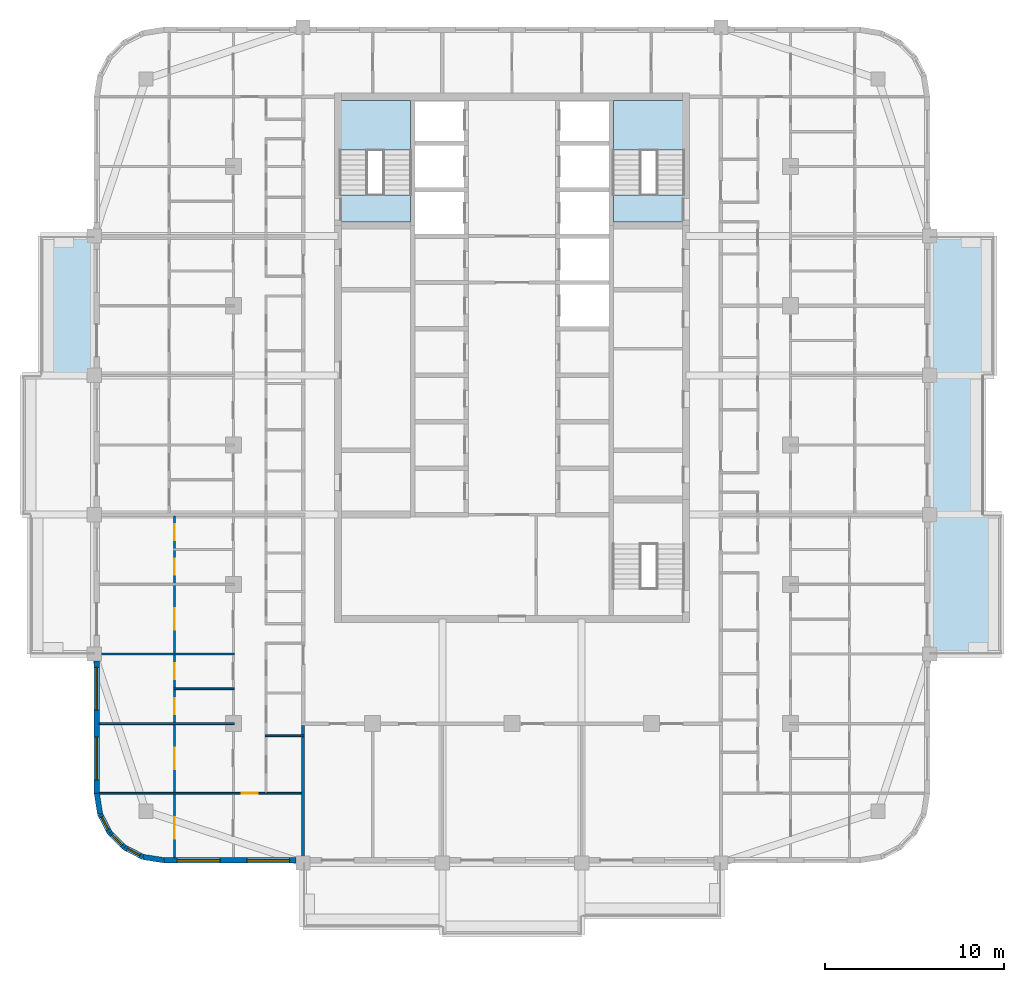
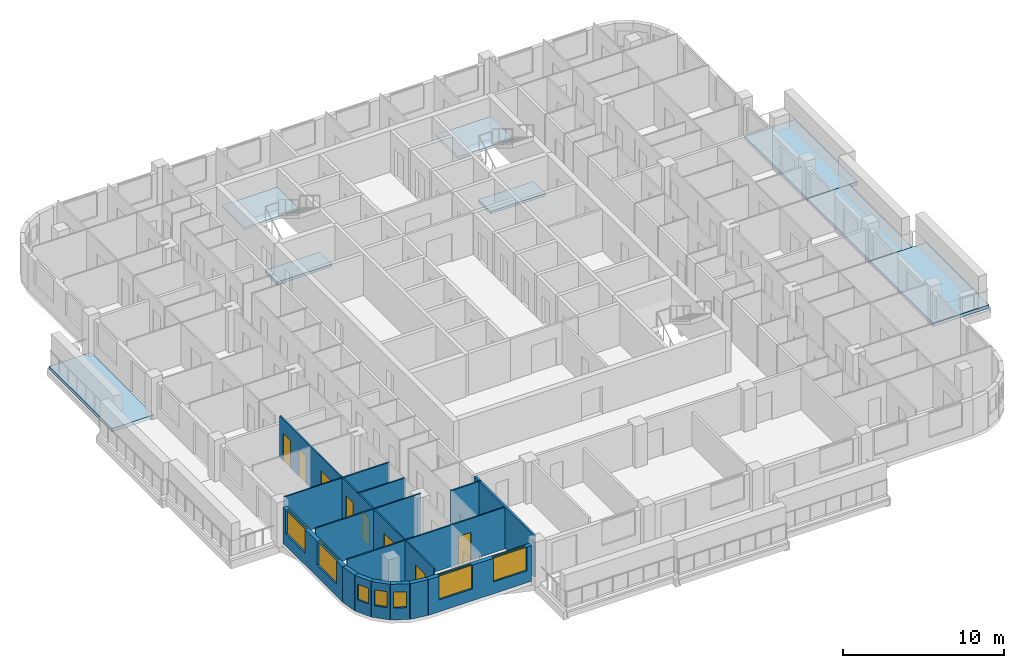
# One storey, part 2 of 16: 14 walls, 8 doors, 8 slabs, 7 windows, 15 openings, 2 elements without a shape of their own.
"""IFC4 building model written with IfcOpenShell, lengths in metres."""

from ifc_helpers import new_model, si_unit, direction, frame, frame_2d, origin, place, context, subcontext, project, spatial, polyline, rectangle, outline, extrude, material, layer, layer_set, type_object, element, fill, aggregate, save


model = new_model("IFC4")

# Units and contexts
model_context = context("Model", 3, precision=1e-05, world=origin(), true_north=direction((0.0, 1.0)))
body_context = subcontext(model_context, "Body", "Model", "MODEL_VIEW")
ifc_project = project(units=[si_unit("LENGTHUNIT", "METRE"), si_unit("AREAUNIT", "SQUARE_METRE"), si_unit("VOLUMEUNIT", "CUBIC_METRE"), si_unit("PLANEANGLEUNIT", "RADIAN"), si_unit("MASSUNIT", "GRAM", prefix="KILO")], contexts=[model_context])

# Site, building, storey
site_placement = place(None, origin())
site = spatial("IfcSite", under=ifc_project, at=site_placement, CompositionType="ELEMENT")
building_placement = place(site_placement, origin())
building = spatial("IfcBuilding", under=site, at=building_placement, Name="Ludao Terraces", CompositionType="ELEMENT")
storey_placement = place(building_placement, frame((0.0, 0.0, 204.10009765625)))
storey = spatial("IfcBuildingStorey", under=building, at=storey_placement, Name="L55", CompositionType="ELEMENT", Elevation=204.10009765625)

# Slabs
ifc_material_1 = material(Name="Concrete C40", Category="concrete")
ifc_layer_1 = layer(ifc_material_1, 0.25)
ifc_layer_set_1 = layer_set([ifc_layer_1], Name="Balcony slab 250 C40")
slab_type_1 = type_object("IfcSlabType", Name="Balcony slab 250 C40", PredefinedType="USERDEFINED", material=ifc_layer_set_1)
slab_1_placement = place(storey_placement, frame((0.0, 0.0, -0.25)))
element("IfcSlab", 1, at=slab_1_placement, inside=storey, type_object=slab_type_1, Name="Balcony L55 E1", ObjectType="BALCONY", PredefinedType="USERDEFINED", context=body_context, shape_type="SweptSolid", body=[
    extrude(outline(polyline([(108.39990234375, 53.300048828125), (112.39990234375, 53.300048828125), (112.39990234375, 61.10009765625), (108.39990234375, 61.10009765625), (108.39990234375, 53.300048828125)])), origin(), (0.0, 0.0, 1.0), 0.25),
])
slab_2_placement = place(storey_placement, frame((0.0, 0.0, -0.25)))
element("IfcSlab", 2, at=slab_2_placement, inside=storey, type_object=slab_type_1, Name="Balcony L55 E2", ObjectType="BALCONY", PredefinedType="USERDEFINED", context=body_context, shape_type="SweptSolid", body=[
    extrude(outline(polyline([(108.39990234375, 61.10009765625), (111.39990234375, 61.10009765625), (111.39990234375, 68.89990234375), (108.39990234375, 68.89990234375), (108.39990234375, 61.10009765625)])), origin(), (0.0, 0.0, 1.0), 0.25),
])
slab_3_placement = place(storey_placement, frame((0.0, 0.0, -0.25)))
element("IfcSlab", 3, at=slab_3_placement, inside=storey, type_object=slab_type_1, Name="Balcony L55 E3", ObjectType="BALCONY", PredefinedType="USERDEFINED", context=body_context, shape_type="SweptSolid", body=[
    extrude(outline(polyline([(108.39990234375, 68.89990234375), (112.0, 68.89990234375), (112.0, 76.699951171875), (108.39990234375, 76.699951171875), (108.39990234375, 68.89990234375)])), origin(), (0.0, 0.0, 1.0), 0.25),
])
slab_4_placement = place(storey_placement, frame((0.0, 0.0, -0.25)))
element("IfcSlab", 4, at=slab_4_placement, inside=storey, type_object=slab_type_1, Name="Balcony L55 W3", ObjectType="BALCONY", PredefinedType="USERDEFINED", context=body_context, shape_type="SweptSolid", body=[
    extrude(outline(polyline([(58.60009765625, 68.89990234375), (61.60009765625, 68.89990234375), (61.60009765625, 76.699951171875), (58.60009765625, 76.699951171875), (58.60009765625, 68.89990234375)])), origin(), (0.0, 0.0, 1.0), 0.25),
])

# Stair, slabs
stair_type = type_object("IfcStairType", Name="INT Stair", PredefinedType="HALF_TURN_STAIR", material=ifc_material_1)
stair_1_placement = place(storey_placement, origin())
stair_1 = element("IfcStair", 5, at=stair_1_placement, inside=storey, type_object=stair_type, Name="EXIT STAIR 1", PredefinedType="HALF_TURN_STAIR")
ifc_layer_2 = layer(ifc_material_1, 0.199951171875)
ifc_layer_set_2 = layer_set([ifc_layer_2], Name="INT Stair landing 200")
slab_type_2 = type_object("IfcSlabType", Name="INT Stair landing 200", PredefinedType="LANDING", material=ifc_layer_set_2)
slab_5_placement = place(storey_placement, frame((0.0, 0.0, 1.5)))
slab_5 = element("IfcSlab", 6, at=slab_5_placement, type_object=slab_type_2, Name="ST1 landing 1", PredefinedType="LANDING", context=body_context, shape_type="SweptSolid", body=[
    extrude(outline(polyline([(75.375, 81.52001953125), (79.324951171875, 81.52001953125), (79.324951171875, 84.300048828125), (75.375, 84.300048828125), (75.375, 81.52001953125)])), origin(), (0.0, 0.0, 1.0), 0.199951171875),
])
slab_6_placement = place(storey_placement, frame((0.0, 0.0, -0.2001953125)))
slab_6 = element("IfcSlab", 7, at=slab_6_placement, type_object=slab_type_2, Name="ST1 landing 2", PredefinedType="LANDING", context=body_context, shape_type="SweptSolid", body=[
    extrude(outline(polyline([(75.375, 77.5), (79.324951171875, 77.5), (79.324951171875, 79.0), (75.375, 79.0), (75.375, 77.5)])), origin(), (0.0, 0.0, 1.0), 0.2001953125),
])
aggregate(stair_1, [slab_5, slab_6])

stair_2_placement = place(storey_placement, origin())
stair_2 = element("IfcStair", 8, at=stair_2_placement, inside=storey, type_object=stair_type, Name="EXIT STAIR 2", PredefinedType="HALF_TURN_STAIR")
slab_7_placement = place(storey_placement, frame((0.0, 0.0, 1.5)))
slab_7 = element("IfcSlab", 9, at=slab_7_placement, type_object=slab_type_2, Name="ST2 landing 1", PredefinedType="LANDING", context=body_context, shape_type="SweptSolid", body=[
    extrude(outline(polyline([(90.675048828125, 81.52001953125), (94.625, 81.52001953125), (94.625, 84.300048828125), (90.675048828125, 84.300048828125), (90.675048828125, 81.52001953125)])), origin(), (0.0, 0.0, 1.0), 0.199951171875),
])
slab_8_placement = place(storey_placement, frame((0.0, 0.0, -0.2001953125)))
slab_8 = element("IfcSlab", 10, at=slab_8_placement, type_object=slab_type_2, Name="ST2 landing 2", PredefinedType="LANDING", context=body_context, shape_type="SweptSolid", body=[
    extrude(outline(polyline([(90.675048828125, 77.5), (94.625, 77.5), (94.625, 79.0), (90.675048828125, 79.0), (90.675048828125, 77.5)])), origin(), (0.0, 0.0, 1.0), 0.2001953125),
])
aggregate(stair_2, [slab_7, slab_8])

# Wall, openings, windows
ifc_material_2 = material(Name="Granite cladding", Category="masonry")
ifc_layer_3 = layer(ifc_material_2, 0.0400390625, Category="stone")
ifc_material_3 = material(Name="Mineral wool")
ifc_layer_4 = layer(ifc_material_3, 0.06005859375)
ifc_layer_5 = layer(ifc_material_1, 0.199951171875, Category="concrete")
ifc_layer_set_3 = layer_set([ifc_layer_3, ifc_layer_4, ifc_layer_5], Name="ENV Stone-clad wall 300")
wall_type_1 = type_object("IfcWallType", Name="ENV Stone-clad wall 300", PredefinedType="SOLIDWALL", material=ifc_layer_set_3)
wall_1_placement = place(storey_placement, frame((65.5, 41.75, 0.0), z_axis=(0.0, 0.0, 1.0), x_axis=(1.0, 0.0, 0.0)))
wall_1 = element("IfcWall", 11, at=wall_1_placement, inside=storey, type_object=wall_type_1, Name="EW-L55-S1", PredefinedType="SOLIDWALL", context=body_context, shape_type="SweptSolid", body=[
    extrude(rectangle(XDim=7.39990234375, YDim=0.300048828125, at=frame_2d((3.699951171875, 0.0))), origin(), (0.0, 0.0, 1.0), 2.699951171875),
])
opening_1_placement = place(wall_1_placement, frame((0.75, 0.0, 0.89990234375)))
opening_1 = element("IfcOpeningElement", 12, at=opening_1_placement, cuts=wall_1, Name="Opening W1", PredefinedType="OPENING", context=body_context, shape_type="SweptSolid", body=[
    extrude(rectangle(XDim=2.39990234375, YDim=1.800048828125, at=frame_2d((1.199951171875, 0.89990234375))), frame((0.0, 0.16015625, 0.0), z_axis=(0.0, -1.0, 0.0), x_axis=(1.0, 0.0, 0.0)), (0.0, 0.0, 1.0), 0.320068359375),
])
opening_2_placement = place(wall_1_placement, frame((4.64990234375, 0.0, 0.89990234375)))
opening_2 = element("IfcOpeningElement", 13, at=opening_2_placement, cuts=wall_1, Name="Opening W1", PredefinedType="OPENING", context=body_context, shape_type="SweptSolid", body=[
    extrude(rectangle(XDim=2.39990234375, YDim=1.800048828125, at=frame_2d((1.199951171875, 0.89990234375))), frame((0.0, 0.16015625, 0.0), z_axis=(0.0, -1.0, 0.0), x_axis=(1.0, 0.0, 0.0)), (0.0, 0.0, 1.0), 0.320068359375),
])
ifc_material_4 = material(Name="Clear glass in aluminium frame", Category="aluminium")
ifc_layer_6 = layer(ifc_material_4, 0.06005859375)
ifc_layer_set_4 = layer_set([ifc_layer_6], Name="ENV Window W1 2400x1800")
window_type_1 = type_object("IfcWindowType", Name="ENV Window W1 2400x1800", PartitioningType="DOUBLE_PANEL_VERTICAL", PredefinedType="WINDOW", material=ifc_layer_set_4)
window_1_placement = place(opening_1_placement, origin())
window_1 = element("IfcWindow", 14, at=window_1_placement, inside=storey, type_object=window_type_1, Name="W-L55-S1-1", OverallHeight=1.800048828125, OverallWidth=2.39990234375, PartitioningType="DOUBLE_PANEL_VERTICAL", PredefinedType="WINDOW", context=body_context, shape_type="SweptSolid", body=[
    extrude(rectangle(XDim=2.39990234375, YDim=1.800048828125, at=frame_2d((1.199951171875, 0.89990234375))), frame((0.0, 0.030029296875, 0.0), z_axis=(0.0, -1.0, 0.0), x_axis=(1.0, 0.0, 0.0)), (0.0, 0.0, 1.0), 0.06005859375),
])
fill(opening_1, window_1)
window_2_placement = place(opening_2_placement, origin())
window_2 = element("IfcWindow", 15, at=window_2_placement, inside=storey, type_object=window_type_1, Name="W-L55-S1-2", OverallHeight=1.800048828125, OverallWidth=2.39990234375, PartitioningType="DOUBLE_PANEL_VERTICAL", PredefinedType="WINDOW", context=body_context, shape_type="SweptSolid", body=[
    extrude(rectangle(XDim=2.39990234375, YDim=1.800048828125, at=frame_2d((1.199951171875, 0.89990234375))), frame((0.0, 0.030029296875, 0.0), z_axis=(0.0, -1.0, 0.0), x_axis=(1.0, 0.0, 0.0)), (0.0, 0.0, 1.0), 0.06005859375),
])
fill(opening_2, window_2)

wall_2_placement = place(storey_placement, frame((61.75, 45.5, 0.0), z_axis=(0.0, 0.0, 1.0), x_axis=(0.0, 1.0, 0.0)))
wall_2 = element("IfcWall", 16, at=wall_2_placement, inside=storey, type_object=wall_type_1, Name="EW-L55-W1", PredefinedType="SOLIDWALL", context=body_context, shape_type="SweptSolid", body=[
    extrude(rectangle(XDim=7.39990234375, YDim=0.300048828125, at=frame_2d((3.699951171875, 0.0))), origin(), (0.0, 0.0, 1.0), 2.699951171875),
])
opening_3_placement = place(wall_2_placement, frame((0.75, 0.0, 0.89990234375)))
opening_3 = element("IfcOpeningElement", 17, at=opening_3_placement, cuts=wall_2, Name="Opening W1", PredefinedType="OPENING", context=body_context, shape_type="SweptSolid", body=[
    extrude(rectangle(XDim=2.39990234375, YDim=1.800048828125, at=frame_2d((1.199951171875, 0.89990234375))), frame((0.0, 0.16015625, 0.0), z_axis=(0.0, -1.0, 0.0), x_axis=(1.0, 0.0, 0.0)), (0.0, 0.0, 1.0), 0.320068359375),
])
opening_4_placement = place(wall_2_placement, frame((4.64990234375, 0.0, 0.89990234375)))
opening_4 = element("IfcOpeningElement", 18, at=opening_4_placement, cuts=wall_2, Name="Opening W1", PredefinedType="OPENING", context=body_context, shape_type="SweptSolid", body=[
    extrude(rectangle(XDim=2.39990234375, YDim=1.800048828125, at=frame_2d((1.199951171875, 0.89990234375))), frame((0.0, 0.16015625, 0.0), z_axis=(0.0, -1.0, 0.0), x_axis=(1.0, 0.0, 0.0)), (0.0, 0.0, 1.0), 0.320068359375),
])
window_3_placement = place(opening_3_placement, origin())
window_3 = element("IfcWindow", 19, at=window_3_placement, inside=storey, type_object=window_type_1, Name="W-L55-W1-1", OverallHeight=1.800048828125, OverallWidth=2.39990234375, PartitioningType="DOUBLE_PANEL_VERTICAL", PredefinedType="WINDOW", context=body_context, shape_type="SweptSolid", body=[
    extrude(rectangle(XDim=2.39990234375, YDim=1.800048828125, at=frame_2d((1.199951171875, 0.89990234375))), frame((0.0, 0.030029296875, 0.0), z_axis=(0.0, -1.0, 0.0), x_axis=(1.0, 0.0, 0.0)), (0.0, 0.0, 1.0), 0.06005859375),
])
fill(opening_3, window_3)
window_4_placement = place(opening_4_placement, origin())
window_4 = element("IfcWindow", 20, at=window_4_placement, inside=storey, type_object=window_type_1, Name="W-L55-W1-2", OverallHeight=1.800048828125, OverallWidth=2.39990234375, PartitioningType="DOUBLE_PANEL_VERTICAL", PredefinedType="WINDOW", context=body_context, shape_type="SweptSolid", body=[
    extrude(rectangle(XDim=2.39990234375, YDim=1.800048828125, at=frame_2d((1.199951171875, 0.89990234375))), frame((0.0, 0.030029296875, 0.0), z_axis=(0.0, -1.0, 0.0), x_axis=(1.0, 0.0, 0.0)), (0.0, 0.0, 1.0), 0.06005859375),
])
fill(opening_4, window_4)

# Wall
wall_3_placement = place(storey_placement, frame((61.75, 45.5, 0.0), z_axis=(0.0, 0.0, 1.0), x_axis=(0.156496880861, -0.987678452879, 0.0)))
element("IfcWall", 21, at=wall_3_placement, inside=storey, type_object=wall_type_1, Name="EW-L55-SW1", PredefinedType="SOLIDWALL", context=body_context, shape_type="SweptSolid", body=[
    extrude(rectangle(XDim=1.173095703125, YDim=0.300048828125, at=frame_2d((0.58642578125, 0.0))), origin(), (0.0, 0.0, 1.0), 2.699951171875),
])

# Wall, opening, window
wall_4_placement = place(storey_placement, frame((61.93359375, 44.34130859375, 0.0), z_axis=(0.0, 0.0, 1.0), x_axis=(0.454025524128, -0.890988677504, 0.0)))
wall_4 = element("IfcWall", 22, at=wall_4_placement, inside=storey, type_object=wall_type_1, Name="EW-L55-SW2", PredefinedType="SOLIDWALL", context=body_context, shape_type="SweptSolid", body=[
    extrude(rectangle(XDim=1.17333984375, YDim=0.300048828125, at=frame_2d((0.586669921875, 0.0))), origin(), (0.0, 0.0, 1.0), 2.699951171875),
])
opening_5_placement = place(wall_4_placement, frame((0.1865234375, 0.0, 0.89990234375)))
opening_5 = element("IfcOpeningElement", 23, at=opening_5_placement, cuts=wall_4, Name="Opening W3", PredefinedType="OPENING", context=body_context, shape_type="SweptSolid", body=[
    extrude(rectangle(XDim=0.800048828125, YDim=1.199951171875, at=frame_2d((0.39990234375, 0.60009765625))), frame((0.0, 0.16015625, 0.0), z_axis=(0.0, -1.0, 0.0), x_axis=(1.0, 0.0, 0.0)), (0.0, 0.0, 1.0), 0.320068359375),
])
ifc_layer_7 = layer(ifc_material_4, 0.06005859375)
ifc_layer_set_5 = layer_set([ifc_layer_7], Name="ENV Window W3 800x1200")
window_type_2 = type_object("IfcWindowType", Name="ENV Window W3 800x1200", PartitioningType="SINGLE_PANEL", PredefinedType="WINDOW", material=ifc_layer_set_5)
window_5_placement = place(opening_5_placement, origin())
window_5 = element("IfcWindow", 24, at=window_5_placement, inside=storey, type_object=window_type_2, Name="W-L55-SW2", OverallHeight=1.199951171875, OverallWidth=0.800048828125, PartitioningType="SINGLE_PANEL", PredefinedType="WINDOW", context=body_context, shape_type="SweptSolid", body=[
    extrude(rectangle(XDim=0.800048828125, YDim=1.199951171875, at=frame_2d((0.39990234375, 0.60009765625))), frame((0.0, 0.030029296875, 0.0), z_axis=(0.0, -1.0, 0.0), x_axis=(1.0, 0.0, 0.0)), (0.0, 0.0, 1.0), 0.06005859375),
])
fill(opening_5, window_5)

wall_5_placement = place(storey_placement, frame((62.46630859375, 43.2958984375, 0.0), z_axis=(0.0, 0.0, 1.0), x_axis=(0.707106781187, -0.707106781187, 0.0)))
wall_5 = element("IfcWall", 25, at=wall_5_placement, inside=storey, type_object=wall_type_1, Name="EW-L55-SW3", PredefinedType="SOLIDWALL", context=body_context, shape_type="SweptSolid", body=[
    extrude(rectangle(XDim=1.173095703125, YDim=0.300048828125, at=frame_2d((0.58642578125, 0.0))), origin(), (0.0, 0.0, 1.0), 2.699951171875),
])
opening_6_placement = place(wall_5_placement, frame((0.1865234375, 0.0, 0.89990234375)))
opening_6 = element("IfcOpeningElement", 26, at=opening_6_placement, cuts=wall_5, Name="Opening W3", PredefinedType="OPENING", context=body_context, shape_type="SweptSolid", body=[
    extrude(rectangle(XDim=0.800048828125, YDim=1.199951171875, at=frame_2d((0.39990234375, 0.60009765625))), frame((0.0, 0.16015625, 0.0), z_axis=(0.0, -1.0, 0.0), x_axis=(1.0, 0.0, 0.0)), (0.0, 0.0, 1.0), 0.320068359375),
])
window_6_placement = place(opening_6_placement, origin())
window_6 = element("IfcWindow", 27, at=window_6_placement, inside=storey, type_object=window_type_2, Name="W-L55-SW3", OverallHeight=1.199951171875, OverallWidth=0.800048828125, PartitioningType="SINGLE_PANEL", PredefinedType="WINDOW", context=body_context, shape_type="SweptSolid", body=[
    extrude(rectangle(XDim=0.800048828125, YDim=1.199951171875, at=frame_2d((0.39990234375, 0.60009765625))), frame((0.0, 0.030029296875, 0.0), z_axis=(0.0, -1.0, 0.0), x_axis=(1.0, 0.0, 0.0)), (0.0, 0.0, 1.0), 0.06005859375),
])
fill(opening_6, window_6)

wall_6_placement = place(storey_placement, frame((63.2958984375, 42.46630859375, 0.0), z_axis=(0.0, 0.0, 1.0), x_axis=(0.890988677504, -0.454025524128, 0.0)))
wall_6 = element("IfcWall", 28, at=wall_6_placement, inside=storey, type_object=wall_type_1, Name="EW-L55-SW4", PredefinedType="SOLIDWALL", context=body_context, shape_type="SweptSolid", body=[
    extrude(rectangle(XDim=1.17333984375, YDim=0.300048828125, at=frame_2d((0.586669921875, 0.0))), origin(), (0.0, 0.0, 1.0), 2.699951171875),
])
opening_7_placement = place(wall_6_placement, frame((0.1865234375, 0.0, 0.89990234375)))
opening_7 = element("IfcOpeningElement", 29, at=opening_7_placement, cuts=wall_6, Name="Opening W3", PredefinedType="OPENING", context=body_context, shape_type="SweptSolid", body=[
    extrude(rectangle(XDim=0.800048828125, YDim=1.199951171875, at=frame_2d((0.39990234375, 0.60009765625))), frame((0.0, 0.16015625, 0.0), z_axis=(0.0, -1.0, 0.0), x_axis=(1.0, 0.0, 0.0)), (0.0, 0.0, 1.0), 0.320068359375),
])
window_7_placement = place(opening_7_placement, origin())
window_7 = element("IfcWindow", 30, at=window_7_placement, inside=storey, type_object=window_type_2, Name="W-L55-SW4", OverallHeight=1.199951171875, OverallWidth=0.800048828125, PartitioningType="SINGLE_PANEL", PredefinedType="WINDOW", context=body_context, shape_type="SweptSolid", body=[
    extrude(rectangle(XDim=0.800048828125, YDim=1.199951171875, at=frame_2d((0.39990234375, 0.60009765625))), frame((0.0, 0.030029296875, 0.0), z_axis=(0.0, -1.0, 0.0), x_axis=(1.0, 0.0, 0.0)), (0.0, 0.0, 1.0), 0.06005859375),
])
fill(opening_7, window_7)

# Wall
wall_7_placement = place(storey_placement, frame((64.34130859375, 41.93359375, 0.0), z_axis=(0.0, 0.0, 1.0), x_axis=(0.987678452879, -0.156496880861, 0.0)))
element("IfcWall", 31, at=wall_7_placement, inside=storey, type_object=wall_type_1, Name="EW-L55-SW5", PredefinedType="SOLIDWALL", context=body_context, shape_type="SweptSolid", body=[
    extrude(rectangle(XDim=1.173095703125, YDim=0.300048828125, at=frame_2d((0.58642578125, 0.0))), origin(), (0.0, 0.0, 1.0), 2.699951171875),
])

# Wall, opening, door
ifc_material_5 = material(Name="Gypsum plasterboard", Category="gypsum")
ifc_layer_8 = layer(ifc_material_5, 0.012451171875, Category="gypsum")
ifc_layer_9 = layer(ifc_material_3, 0.06005859375, Name="insulation")
ifc_material_6 = material(Name="Steel Q235", Category="steel")
ifc_layer_10 = layer(ifc_material_6, 0.014892578125, Name="stud")
ifc_layer_11 = layer(ifc_material_5, 0.012451171875, Category="gypsum")
ifc_layer_set_6 = layer_set([ifc_layer_8, ifc_layer_9, ifc_layer_10, ifc_layer_11], Name="INT Partition 100")
wall_type_2 = type_object("IfcWallType", Name="INT Partition 100", PredefinedType="PARTITIONING", material=ifc_layer_set_6)
wall_8_placement = place(storey_placement, frame((61.900146484375, 45.5, 0.0), z_axis=(0.0, 0.0, 1.0), x_axis=(1.0, 0.0, 0.0)))
wall_8 = element("IfcWall", 32, at=wall_8_placement, inside=storey, type_object=wall_type_2, Name="PW-L55-PW000", PredefinedType="PARTITIONING", context=body_context, shape_type="SweptSolid", body=[
    extrude(rectangle(XDim=11.474853515625, YDim=0.10009765625, at=frame_2d((5.7373046875, 0.0))), origin(), (0.0, 0.0, 1.0), 3.14990234375),
])
opening_8_placement = place(wall_8_placement, frame((7.965087890625, 0.0, 0.0)))
opening_8 = element("IfcOpeningElement", 33, at=opening_8_placement, cuts=wall_8, Name="Opening R20-005", PredefinedType="OPENING", context=body_context, shape_type="SweptSolid", body=[
    extrude(rectangle(XDim=0.89990234375, YDim=2.10009765625, at=frame_2d((0.449951171875, 1.050048828125))), frame((0.0, 0.06005859375, 0.0), z_axis=(0.0, -1.0, 0.0), x_axis=(1.0, 0.0, 0.0)), (0.0, 0.0, 1.0), 0.1201171875),
])
ifc_material_7 = material(Name="Timber door leaf", Category="wood")
door_type_1 = type_object("IfcDoorType", Name="INT Room door 900", OperationType="SINGLE_SWING_LEFT", PredefinedType="DOOR", material=ifc_material_7)
door_1_placement = place(opening_8_placement, origin())
door_1 = element("IfcDoor", 34, at=door_1_placement, inside=storey, type_object=door_type_1, Name="DOOR 005", OperationType="SINGLE_SWING_LEFT", OverallHeight=2.10009765625, OverallWidth=0.89990234375, PredefinedType="DOOR", context=body_context, shape_type="SweptSolid", body=[
    extrude(rectangle(XDim=0.89990234375, YDim=2.10009765625, at=frame_2d((0.449951171875, 1.050048828125))), frame((0.0, 0.02490234375, 0.0), z_axis=(0.0, -1.0, 0.0), x_axis=(1.0, 0.0, 0.0)), (0.0, 0.0, 1.0), 0.050048828125),
])
fill(opening_8, door_1)

# Walls
wall_9_placement = place(storey_placement, frame((71.18017578125, 48.719970703125, 0.0), z_axis=(0.0, 0.0, 1.0), x_axis=(1.0, 0.0, 0.0)))
element("IfcWall", 35, at=wall_9_placement, inside=storey, type_object=wall_type_2, Name="PW-L55-PW004", PredefinedType="PARTITIONING", context=body_context, shape_type="SweptSolid", body=[
    extrude(rectangle(XDim=2.19482421875, YDim=0.10009765625, at=frame_2d((1.097412109375, 0.0))), origin(), (0.0, 0.0, 1.0), 3.14990234375),
])
wall_10_placement = place(storey_placement, frame((61.900146484375, 49.39990234375, 0.0), z_axis=(0.0, 0.0, 1.0), x_axis=(1.0, 0.0, 0.0)))
element("IfcWall", 36, at=wall_10_placement, inside=storey, type_object=wall_type_2, Name="PW-L55-PW005", PredefinedType="PARTITIONING", context=body_context, shape_type="SweptSolid", body=[
    extrude(rectangle(XDim=7.550048828125, YDim=0.10009765625, at=frame_2d((3.77490234375, 0.0))), origin(), (0.0, 0.0, 1.0), 3.14990234375),
])
wall_11_placement = place(storey_placement, frame((66.050048828125, 51.35009765625, 0.0), z_axis=(0.0, 0.0, 1.0), x_axis=(1.0, 0.0, 0.0)))
element("IfcWall", 37, at=wall_11_placement, inside=storey, type_object=wall_type_2, Name="PW-L55-PW010", PredefinedType="PARTITIONING", context=body_context, shape_type="SweptSolid", body=[
    extrude(rectangle(XDim=3.400146484375, YDim=0.10009765625, at=frame_2d((1.7001953125, 0.0))), origin(), (0.0, 0.0, 1.0), 3.14990234375),
])
wall_12_placement = place(storey_placement, frame((61.900146484375, 53.300048828125, 0.0), z_axis=(0.0, 0.0, 1.0), x_axis=(1.0, 0.0, 0.0)))
element("IfcWall", 38, at=wall_12_placement, inside=storey, type_object=wall_type_2, Name="PW-L55-PW012", PredefinedType="PARTITIONING", context=body_context, shape_type="SweptSolid", body=[
    extrude(rectangle(XDim=7.550048828125, YDim=0.10009765625, at=frame_2d((3.77490234375, 0.0))), origin(), (0.0, 0.0, 1.0), 3.14990234375),
])

# Wall, openings, doors
wall_13_placement = place(storey_placement, frame((66.10009765625, 41.900146484375, 0.0), z_axis=(0.0, 0.0, 1.0), x_axis=(0.0, 1.0, 0.0)))
wall_13 = element("IfcWall", 39, at=wall_13_placement, inside=storey, type_object=wall_type_2, Name="PW-L55-PW071", PredefinedType="PARTITIONING", context=body_context, shape_type="SweptSolid", body=[
    extrude(rectangle(XDim=19.099853515625, YDim=0.10009765625, at=frame_2d((9.5498046875, 0.0))), origin(), (0.0, 0.0, 1.0), 3.14990234375),
])
opening_9_placement = place(wall_13_placement, frame((1.050048828125, 0.0, 0.0)))
opening_9 = element("IfcOpeningElement", 40, at=opening_9_placement, cuts=wall_13, Name="Opening R20-001", PredefinedType="OPENING", context=body_context, shape_type="SweptSolid", body=[
    extrude(rectangle(XDim=1.199951171875, YDim=2.10009765625, at=frame_2d((0.60009765625, 1.050048828125))), frame((0.0, 0.06005859375, 0.0), z_axis=(0.0, -1.0, 0.0), x_axis=(1.0, 0.0, 0.0)), (0.0, 0.0, 1.0), 0.1201171875),
])
opening_10_placement = place(wall_13_placement, frame((4.949951171875, 0.0, 0.0)))
opening_10 = element("IfcOpeningElement", 41, at=opening_10_placement, cuts=wall_13, Name="Opening R20-010", PredefinedType="OPENING", context=body_context, shape_type="SweptSolid", body=[
    extrude(rectangle(XDim=1.199951171875, YDim=2.10009765625, at=frame_2d((0.60009765625, 1.050048828125))), frame((0.0, 0.06005859375, 0.0), z_axis=(0.0, -1.0, 0.0), x_axis=(1.0, 0.0, 0.0)), (0.0, 0.0, 1.0), 0.1201171875),
])
opening_11_placement = place(wall_13_placement, frame((8.02490234375, 0.0, 0.0)))
opening_11 = element("IfcOpeningElement", 42, at=opening_11_placement, cuts=wall_13, Name="Opening R20-020", PredefinedType="OPENING", context=body_context, shape_type="SweptSolid", body=[
    extrude(rectangle(XDim=0.89990234375, YDim=2.10009765625, at=frame_2d((0.449951171875, 1.050048828125))), frame((0.0, 0.06005859375, 0.0), z_axis=(0.0, -1.0, 0.0), x_axis=(1.0, 0.0, 0.0)), (0.0, 0.0, 1.0), 0.1201171875),
])
opening_12_placement = place(wall_13_placement, frame((9.97509765625, 0.0, 0.0)))
opening_12 = element("IfcOpeningElement", 43, at=opening_12_placement, cuts=wall_13, Name="Opening R20-024", PredefinedType="OPENING", context=body_context, shape_type="SweptSolid", body=[
    extrude(rectangle(XDim=0.89990234375, YDim=2.10009765625, at=frame_2d((0.449951171875, 1.050048828125))), frame((0.0, 0.06005859375, 0.0), z_axis=(0.0, -1.0, 0.0), x_axis=(1.0, 0.0, 0.0)), (0.0, 0.0, 1.0), 0.1201171875),
])
opening_13_placement = place(wall_13_placement, frame((12.75, 0.0, 0.0)))
opening_13 = element("IfcOpeningElement", 44, at=opening_13_placement, cuts=wall_13, Name="Opening R20-030", PredefinedType="OPENING", context=body_context, shape_type="SweptSolid", body=[
    extrude(rectangle(XDim=1.199951171875, YDim=2.10009765625, at=frame_2d((0.60009765625, 1.050048828125))), frame((0.0, 0.06005859375, 0.0), z_axis=(0.0, -1.0, 0.0), x_axis=(1.0, 0.0, 0.0)), (0.0, 0.0, 1.0), 0.1201171875),
])
opening_14_placement = place(wall_13_placement, frame((15.824951171875, 0.0, 0.0)))
opening_14 = element("IfcOpeningElement", 45, at=opening_14_placement, cuts=wall_13, Name="Opening R20-040", PredefinedType="OPENING", context=body_context, shape_type="SweptSolid", body=[
    extrude(rectangle(XDim=0.89990234375, YDim=2.10009765625, at=frame_2d((0.449951171875, 1.050048828125))), frame((0.0, 0.06005859375, 0.0), z_axis=(0.0, -1.0, 0.0), x_axis=(1.0, 0.0, 0.0)), (0.0, 0.0, 1.0), 0.1201171875),
])
opening_15_placement = place(wall_13_placement, frame((17.77490234375, 0.0, 0.0)))
opening_15 = element("IfcOpeningElement", 46, at=opening_15_placement, cuts=wall_13, Name="Opening R20-045", PredefinedType="OPENING", context=body_context, shape_type="SweptSolid", body=[
    extrude(rectangle(XDim=0.89990234375, YDim=2.10009765625, at=frame_2d((0.449951171875, 1.050048828125))), frame((0.0, 0.06005859375, 0.0), z_axis=(0.0, -1.0, 0.0), x_axis=(1.0, 0.0, 0.0)), (0.0, 0.0, 1.0), 0.1201171875),
])
door_type_2 = type_object("IfcDoorType", Name="INT Bathroom door 900", OperationType="SINGLE_SWING_LEFT", PredefinedType="DOOR", material=ifc_material_7)
door_2_placement = place(opening_11_placement, origin())
door_2 = element("IfcDoor", 47, at=door_2_placement, inside=storey, type_object=door_type_2, Name="DOOR 020", OperationType="SINGLE_SWING_RIGHT", OverallHeight=2.10009765625, OverallWidth=0.89990234375, PredefinedType="DOOR", context=body_context, shape_type="SweptSolid", body=[
    extrude(rectangle(XDim=0.89990234375, YDim=2.10009765625, at=frame_2d((0.449951171875, 1.050048828125))), frame((0.0, 0.02490234375, 0.0), z_axis=(0.0, -1.0, 0.0), x_axis=(1.0, 0.0, 0.0)), (0.0, 0.0, 1.0), 0.050048828125),
])
fill(opening_11, door_2)
door_3_placement = place(opening_14_placement, origin())
door_3 = element("IfcDoor", 48, at=door_3_placement, inside=storey, type_object=door_type_2, Name="DOOR 040", OperationType="SINGLE_SWING_RIGHT", OverallHeight=2.10009765625, OverallWidth=0.89990234375, PredefinedType="DOOR", context=body_context, shape_type="SweptSolid", body=[
    extrude(rectangle(XDim=0.89990234375, YDim=2.10009765625, at=frame_2d((0.449951171875, 1.050048828125))), frame((0.0, 0.02490234375, 0.0), z_axis=(0.0, -1.0, 0.0), x_axis=(1.0, 0.0, 0.0)), (0.0, 0.0, 1.0), 0.050048828125),
])
fill(opening_14, door_3)
door_type_3 = type_object("IfcDoorType", Name="INT Double door 1200", OperationType="DOUBLE_DOOR_SINGLE_SWING", PredefinedType="DOOR", material=ifc_material_7)
door_4_placement = place(opening_9_placement, origin())
door_4 = element("IfcDoor", 49, at=door_4_placement, inside=storey, type_object=door_type_3, Name="DOOR 001", OperationType="DOUBLE_DOOR_SINGLE_SWING", OverallHeight=2.10009765625, OverallWidth=1.199951171875, PredefinedType="DOOR", context=body_context, shape_type="SweptSolid", body=[
    extrude(rectangle(XDim=1.199951171875, YDim=2.10009765625, at=frame_2d((0.60009765625, 1.050048828125))), frame((0.0, 0.02490234375, 0.0), z_axis=(0.0, -1.0, 0.0), x_axis=(1.0, 0.0, 0.0)), (0.0, 0.0, 1.0), 0.050048828125),
])
fill(opening_9, door_4)
door_5_placement = place(opening_10_placement, origin())
door_5 = element("IfcDoor", 50, at=door_5_placement, inside=storey, type_object=door_type_3, Name="DOOR 010", OperationType="DOUBLE_DOOR_SINGLE_SWING", OverallHeight=2.10009765625, OverallWidth=1.199951171875, PredefinedType="DOOR", context=body_context, shape_type="SweptSolid", body=[
    extrude(rectangle(XDim=1.199951171875, YDim=2.10009765625, at=frame_2d((0.60009765625, 1.050048828125))), frame((0.0, 0.02490234375, 0.0), z_axis=(0.0, -1.0, 0.0), x_axis=(1.0, 0.0, 0.0)), (0.0, 0.0, 1.0), 0.050048828125),
])
fill(opening_10, door_5)
door_6_placement = place(opening_13_placement, origin())
door_6 = element("IfcDoor", 51, at=door_6_placement, inside=storey, type_object=door_type_3, Name="DOOR 030", OperationType="DOUBLE_DOOR_SINGLE_SWING", OverallHeight=2.10009765625, OverallWidth=1.199951171875, PredefinedType="DOOR", context=body_context, shape_type="SweptSolid", body=[
    extrude(rectangle(XDim=1.199951171875, YDim=2.10009765625, at=frame_2d((0.60009765625, 1.050048828125))), frame((0.0, 0.02490234375, 0.0), z_axis=(0.0, -1.0, 0.0), x_axis=(1.0, 0.0, 0.0)), (0.0, 0.0, 1.0), 0.050048828125),
])
fill(opening_13, door_6)
door_7_placement = place(opening_12_placement, origin())
door_7 = element("IfcDoor", 52, at=door_7_placement, inside=storey, type_object=door_type_1, Name="DOOR 024", OperationType="SINGLE_SWING_LEFT", OverallHeight=2.10009765625, OverallWidth=0.89990234375, PredefinedType="DOOR", context=body_context, shape_type="SweptSolid", body=[
    extrude(rectangle(XDim=0.89990234375, YDim=2.10009765625, at=frame_2d((0.449951171875, 1.050048828125))), frame((0.0, 0.02490234375, 0.0), z_axis=(0.0, -1.0, 0.0), x_axis=(1.0, 0.0, 0.0)), (0.0, 0.0, 1.0), 0.050048828125),
])
fill(opening_12, door_7)
door_8_placement = place(opening_15_placement, origin())
door_8 = element("IfcDoor", 53, at=door_8_placement, inside=storey, type_object=door_type_1, Name="DOOR 045", OperationType="SINGLE_SWING_RIGHT", OverallHeight=2.10009765625, OverallWidth=0.89990234375, PredefinedType="DOOR", context=body_context, shape_type="SweptSolid", body=[
    extrude(rectangle(XDim=0.89990234375, YDim=2.10009765625, at=frame_2d((0.449951171875, 1.050048828125))), frame((0.0, 0.02490234375, 0.0), z_axis=(0.0, -1.0, 0.0), x_axis=(1.0, 0.0, 0.0)), (0.0, 0.0, 1.0), 0.050048828125),
])
fill(opening_15, door_8)

# Wall
ifc_material_8 = material(Name="Autoclaved aerated concrete block B06 A3.5", Category="concrete")
ifc_layer_12 = layer(ifc_material_8, 0.14990234375)
ifc_layer_set_7 = layer_set([ifc_layer_12], Name="INT Party wall 150")
wall_type_3 = type_object("IfcWallType", Name="INT Party wall 150", PredefinedType="PARTITIONING", material=ifc_layer_set_7)
wall_14_placement = place(storey_placement, frame((73.300048828125, 41.900146484375, 0.0), z_axis=(0.0, 0.0, 1.0), x_axis=(0.0, 1.0, 0.0)))
element("IfcWall", 54, at=wall_14_placement, inside=storey, type_object=wall_type_3, Name="PW-L55-PW077", PredefinedType="PARTITIONING", context=body_context, shape_type="SweptSolid", body=[
    extrude(rectangle(XDim=7.39990234375, YDim=0.14990234375, at=frame_2d((3.699951171875, 0.0))), origin(), (0.0, 0.0, 1.0), 3.14990234375),
])

save(model, "model.ifc")
